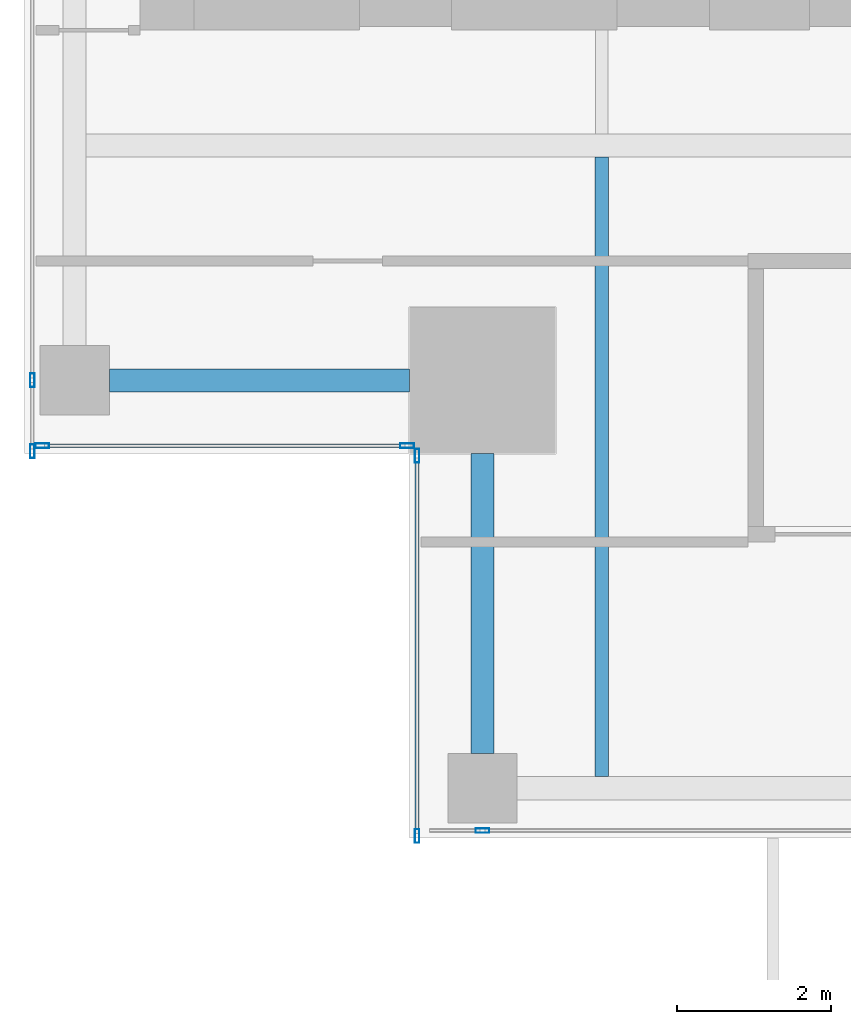
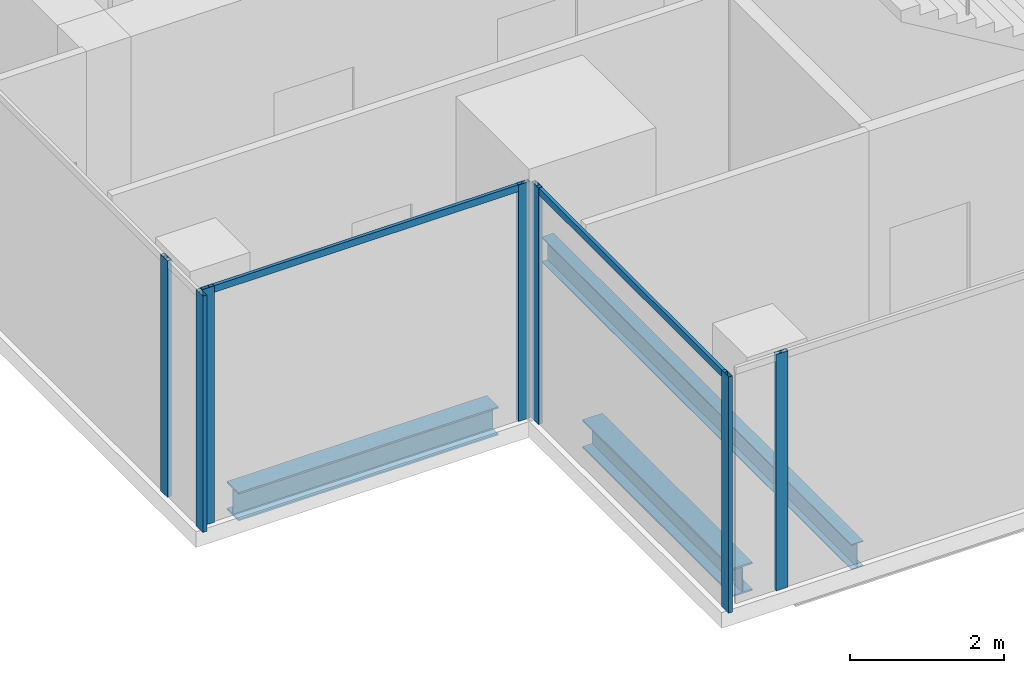
# One storey, part 2 of 34: 9 members, 3 beams, 4 elements without a shape of their own.
"""IFC4 building model written with IfcOpenShell, lengths in metres."""

from ifc_helpers import new_model, si_unit, direction, frame, origin, origin_2d, place, context, subcontext, project, spatial, hollow_rectangle, i_section, extrude, source, transform, mapped, material, material_profile, profile_set, type_object, element, aggregate, save


model = new_model("IFC4")

# Units and contexts
model_context = context("Model", 3, precision=1e-05, world=origin(), true_north=direction((0.0, 1.0)))
body_context = subcontext(model_context, "Body", "Model", "MODEL_VIEW")
ifc_project = project(units=[si_unit("LENGTHUNIT", "METRE"), si_unit("AREAUNIT", "SQUARE_METRE"), si_unit("VOLUMEUNIT", "CUBIC_METRE"), si_unit("PLANEANGLEUNIT", "RADIAN"), si_unit("MASSUNIT", "GRAM", prefix="KILO")], contexts=[model_context])

# Site, building, storey
site_placement = place(None, origin())
site = spatial("IfcSite", under=ifc_project, at=site_placement, CompositionType="ELEMENT")
building_placement = place(site_placement, origin())
building = spatial("IfcBuilding", under=site, at=building_placement, Name="Khomas Fold Tower", CompositionType="ELEMENT")
storey_placement = place(building_placement, frame((0.0, 0.0, 254.199951171875)))
storey = spatial("IfcBuildingStorey", under=building, at=storey_placement, Name="L57", CompositionType="ELEMENT", Elevation=254.199951171875)

# Beams
ifc_material_1 = material(Name="Steel S355", Category="steel")
ifc_material_profile_1 = material_profile(ifc_material_1, i_section(OverallWidth=0.300048828125, OverallDepth=0.449951171875, WebThickness=0.013916015625, FlangeThickness=0.02587890625, at=origin_2d()), Name="HE 450 B")
ifc_profile_set_1 = profile_set([ifc_material_profile_1], Name="Steel S355")
beam_type_1 = type_object("IfcBeamType", Name="HE 450 B spandrel SB4", PredefinedType="SPANDREL", material=ifc_profile_set_1)
shared_shape_1 = source(origin(), body_context, "Body", "SweptSolid", [
    extrude(i_section(OverallWidth=0.300048828125, OverallDepth=0.449951171875, WebThickness=0.013916015625, FlangeThickness=0.02587890625, at=origin_2d()), origin(), (0.0, 0.0, 1.0), 3.89990234375),
])
for number, where, z_axis, x_axis, name in (
    (1, (5.60009765625, 10.449951171875, -0.474853515625), (1.0, 0.0, 0.0), (0.0, 1.0, 0.0), "SB4"),
    (2, (10.449951171875, 5.60009765625, -0.474853515625), (0.0, 1.0, 0.0), (-1.0, 0.0, 0.0), "SB4"),
):
    element("IfcBeam", number, at=place(storey_placement, frame(where, z_axis=z_axis, x_axis=x_axis)), inside=storey, type_object=beam_type_1, Name=name, PredefinedType="SPANDREL", context=body_context, shape_type="MappedRepresentation", body=[
        mapped(shared_shape_1, transform((0.0, 0.0, 0.0))),
    ])
ifc_material_2 = material(Name="Steel S355", Category="steel")
ifc_material_profile_2 = material_profile(ifc_material_2, i_section(OverallWidth=0.179931640625, OverallDepth=0.39990234375, WebThickness=0.008544921875, FlangeThickness=0.013427734375, at=origin_2d()), Name="IPE 400")
ifc_profile_set_2 = profile_set([ifc_material_profile_2], Name="Steel S355")
beam_type_2 = type_object("IfcBeamType", Name="IPE 400 beam JB3", PredefinedType="BEAM", material=ifc_profile_set_2)
shared_shape_2 = source(origin(), body_context, "Body", "SweptSolid", [
    extrude(i_section(OverallWidth=0.179931640625, OverallDepth=0.39990234375, WebThickness=0.008544921875, FlangeThickness=0.013427734375, at=origin_2d()), origin(), (0.0, 0.0, 1.0), 8.050048828125),
])
beam_placement = place(storey_placement, frame((12.0, 5.300048828125, -0.449951171875), z_axis=(0.0, 1.0, 0.0), x_axis=(-1.0, 0.0, 0.0)))
element("IfcBeam", 3, at=beam_placement, inside=storey, type_object=beam_type_2, Name="JB3", PredefinedType="BEAM", context=body_context, shape_type="MappedRepresentation", body=[
    mapped(shared_shape_2, transform((0.0, 0.0, 0.0))),
])

# Curtain wall, member
ifc_material_3 = material(Name="Aluminium framed double glazing", Category="aluminium")
curtain_wall_type = type_object("IfcCurtainWallType", Name="SK-Unitised clear-glass wall, office floors CW2", PredefinedType="NOTDEFINED", material=ifc_material_3)
curtain_wall_1_placement = place(storey_placement, origin())
curtain_wall_1 = element("IfcCurtainWall", 4, at=curtain_wall_1_placement, inside=storey, type_object=curtain_wall_type, Name="CW2 run L57 00-0", PredefinedType="NOTDEFINED")
ifc_material_4 = material(Name="Aluminium", Category="aluminium")
ifc_material_profile_3 = material_profile(ifc_material_4, hollow_rectangle(XDim=0.06005859375, YDim=0.179931640625, WallThickness=0.00390625, at=origin_2d()), Name="SK-Unitised clear-glass wall, office floors mullion CW2-M")
ifc_profile_set_3 = profile_set([ifc_material_profile_3], Name="Aluminium")
member_type_1 = type_object("IfcMemberType", Name="SK-Unitised clear-glass wall, office floors mullion CW2-M", PredefinedType="MULLION", material=ifc_profile_set_3)
shared_shape_3 = source(origin(), body_context, "Body", "SweptSolid", [
    extrude(hollow_rectangle(XDim=0.06005859375, YDim=0.179931640625, WallThickness=0.00390625, at=origin_2d()), origin(), (0.0, 0.0, 1.0), 3.75),
])
member_1_placement = place(storey_placement, frame((10.449951171875, 4.60009765625, 0.0), z_axis=(0.0, 0.0, 1.0), x_axis=(0.0, 1.0, 0.0)))
member_1 = element("IfcMember", 5, at=member_1_placement, type_object=member_type_1, Name="CW2 mullion 2", PredefinedType="MULLION", context=body_context, shape_type="MappedRepresentation", body=[
    mapped(shared_shape_3, transform((0.0, 0.0, 0.0))),
])
aggregate(curtain_wall_1, [member_1])

# Curtain wall, members
curtain_wall_2_placement = place(storey_placement, origin())
curtain_wall_2 = element("IfcCurtainWall", 6, at=curtain_wall_2_placement, inside=storey, type_object=curtain_wall_type, Name="CW2 run L57 09-0", PredefinedType="NOTDEFINED")
member_2_placement = place(storey_placement, frame((4.60009765625, 10.449951171875, 0.0), z_axis=(0.0, 0.0, 1.0), x_axis=(1.0, 0.0, 0.0)))
member_2 = element("IfcMember", 7, at=member_2_placement, type_object=member_type_1, Name="CW2 mullion 6", PredefinedType="MULLION", context=body_context, shape_type="MappedRepresentation", body=[
    mapped(shared_shape_3, transform((0.0, 0.0, 0.0))),
])
member_3_placement = place(storey_placement, frame((4.60009765625, 9.530029296875, 0.0), z_axis=(0.0, 0.0, 1.0), x_axis=(1.0, 0.0, 0.0)))
member_3 = element("IfcMember", 8, at=member_3_placement, type_object=member_type_1, Name="CW2 mullion 7", PredefinedType="MULLION", context=body_context, shape_type="MappedRepresentation", body=[
    mapped(shared_shape_3, transform((0.0, 0.0, 0.0))),
])
aggregate(curtain_wall_2, [member_2, member_3])

curtain_wall_3_placement = place(storey_placement, origin())
curtain_wall_3 = element("IfcCurtainWall", 9, at=curtain_wall_3_placement, inside=storey, type_object=curtain_wall_type, Name="CW2 corner return L57 10", PredefinedType="NOTDEFINED")
member_4_placement = place(storey_placement, frame((4.72998046875, 9.60009765625, 0.0), z_axis=(0.0, 0.0, 1.0), x_axis=(0.0, 1.0, 0.0)))
member_4 = element("IfcMember", 10, at=member_4_placement, type_object=member_type_1, Name="CW2 mullion 1", PredefinedType="MULLION", context=body_context, shape_type="MappedRepresentation", body=[
    mapped(shared_shape_3, transform((0.0, 0.0, 0.0))),
])
member_5_placement = place(storey_placement, frame((9.469970703125, 9.60009765625, 0.0), z_axis=(0.0, 0.0, 1.0), x_axis=(0.0, 1.0, 0.0)))
member_5 = element("IfcMember", 11, at=member_5_placement, type_object=member_type_1, Name="CW2 mullion 2", PredefinedType="MULLION", context=body_context, shape_type="MappedRepresentation", body=[
    mapped(shared_shape_3, transform((0.0, 0.0, 0.0))),
])

curtain_wall_4_placement = place(storey_placement, origin())
curtain_wall_4 = element("IfcCurtainWall", 12, at=curtain_wall_4_placement, inside=storey, type_object=curtain_wall_type, Name="CW2 corner return L57 11", PredefinedType="NOTDEFINED")
member_6_placement = place(storey_placement, frame((9.60009765625, 9.469970703125, 0.0), z_axis=(0.0, 0.0, 1.0), x_axis=(1.0, 0.0, 0.0)))
member_6 = element("IfcMember", 13, at=member_6_placement, type_object=member_type_1, Name="CW2 mullion 1", PredefinedType="MULLION", context=body_context, shape_type="MappedRepresentation", body=[
    mapped(shared_shape_3, transform((0.0, 0.0, 0.0))),
])
member_7_placement = place(storey_placement, frame((9.60009765625, 4.530029296875, 0.0), z_axis=(0.0, 0.0, 1.0), x_axis=(1.0, 0.0, 0.0)))
member_7 = element("IfcMember", 14, at=member_7_placement, type_object=member_type_1, Name="CW2 mullion 2", PredefinedType="MULLION", context=body_context, shape_type="MappedRepresentation", body=[
    mapped(shared_shape_3, transform((0.0, 0.0, 0.0))),
])

# Member
ifc_material_5 = material(Name="Aluminium", Category="aluminium")
ifc_material_profile_4 = material_profile(ifc_material_5, hollow_rectangle(XDim=0.050048828125, YDim=0.110107421875, WallThickness=0.00390625, at=origin_2d()), Name="SK-Unitised clear-glass wall, office floors transom CW2-T")
ifc_profile_set_4 = profile_set([ifc_material_profile_4], Name="Aluminium")
member_type_2 = type_object("IfcMemberType", Name="SK-Unitised clear-glass wall, office floors transom CW2-T", PredefinedType="USERDEFINED", material=ifc_profile_set_4)
shared_shape_4 = source(origin(), body_context, "Body", "SweptSolid", [
    extrude(hollow_rectangle(XDim=0.050048828125, YDim=0.110107421875, WallThickness=0.00390625, at=origin_2d()), origin(), (0.0, 0.0, 1.0), 4.679931640625),
])
member_8_placement = place(storey_placement, frame((4.760009765625, 9.60009765625, 3.695068359375), z_axis=(1.0, 0.0, 0.0), x_axis=(0.0, 1.0, 0.0)))
member_8 = element("IfcMember", 15, at=member_8_placement, type_object=member_type_2, Name="CW2 transom 1", ObjectType="TRANSOM", PredefinedType="USERDEFINED", context=body_context, shape_type="MappedRepresentation", body=[
    mapped(shared_shape_4, transform((0.0, 0.0, 0.0))),
])

aggregate(curtain_wall_3, [member_4, member_5, member_8])

shared_shape_5 = source(origin(), body_context, "Body", "SweptSolid", [
    extrude(hollow_rectangle(XDim=0.050048828125, YDim=0.110107421875, WallThickness=0.00390625, at=origin_2d()), origin(), (0.0, 0.0, 1.0), 4.8798828125),
])
member_9_placement = place(storey_placement, frame((9.60009765625, 9.43994140625, 3.695068359375), z_axis=(0.0, -1.0, 0.0), x_axis=(1.0, 0.0, 0.0)))
member_9 = element("IfcMember", 16, at=member_9_placement, type_object=member_type_2, Name="CW2 transom 1", ObjectType="TRANSOM", PredefinedType="USERDEFINED", context=body_context, shape_type="MappedRepresentation", body=[
    mapped(shared_shape_5, transform((0.0, 0.0, 0.0))),
])

aggregate(curtain_wall_4, [member_6, member_7, member_9])

save(model, "model.ifc")
